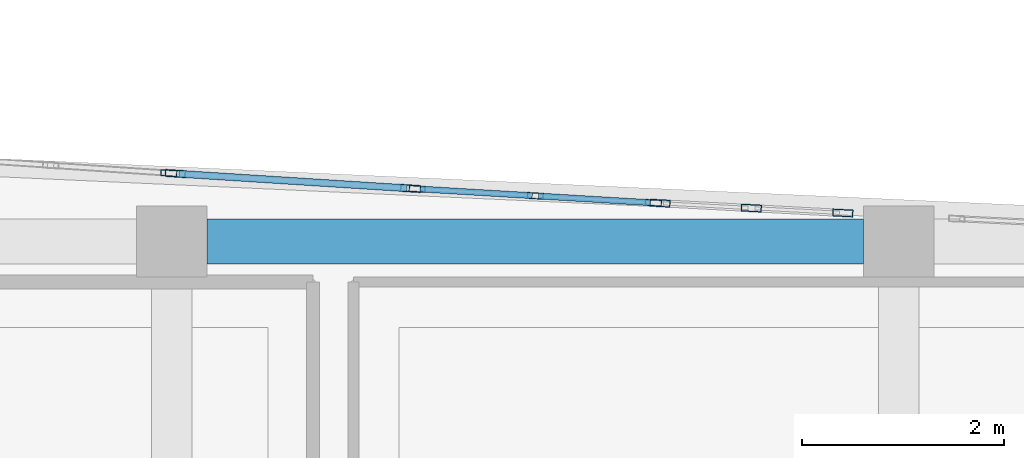
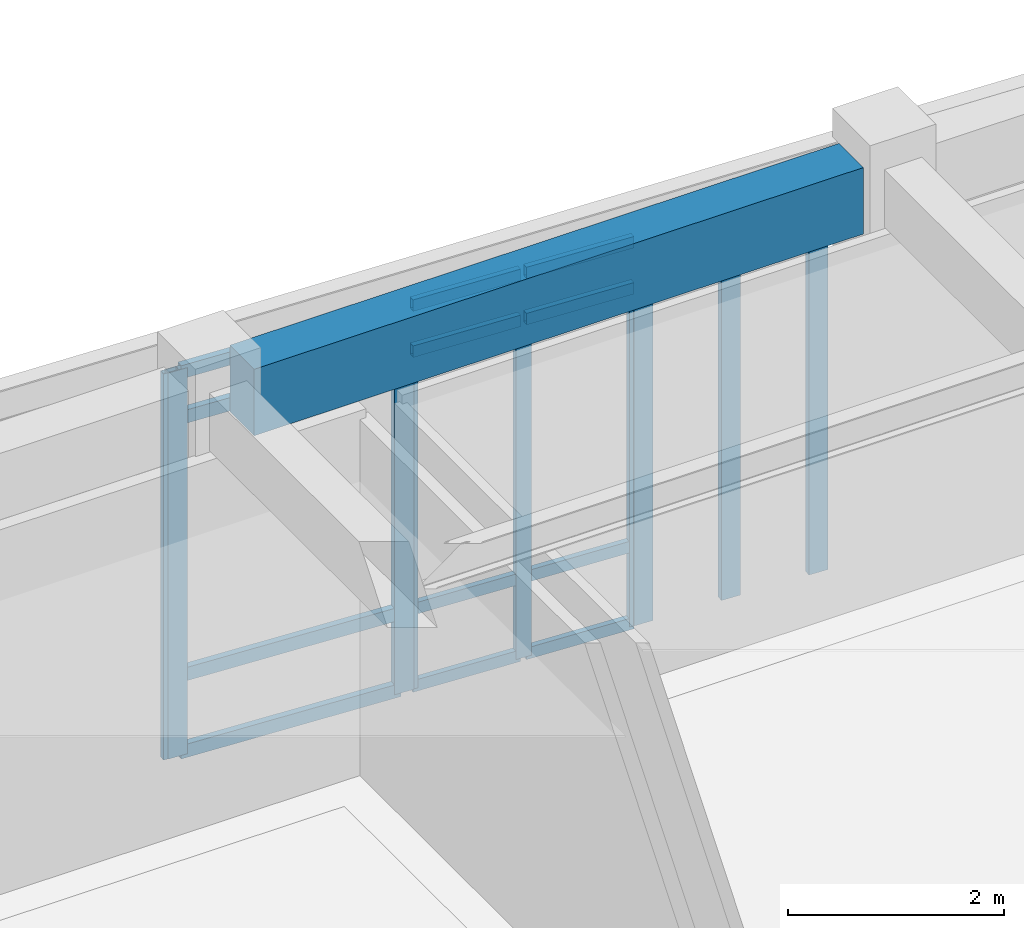
# One storey, part 63 of 117: 21 members, 1 beam, 4 elements without a shape of their own.
"""IFC4 building model written with IfcOpenShell, lengths in metres."""

from ifc_helpers import new_model, si_unit, direction, frame, origin, origin_2d, place, context, subcontext, project, spatial, rectangle, hollow_rectangle, extrude, material, layer, layer_set, material_profile, profile_set, type_object, element, aggregate, save


model = new_model("IFC4")

# Units and contexts
model_context = context("Model", 3, precision=1e-05, world=origin(), true_north=direction((0.0, 1.0)))
body_context = subcontext(model_context, "Body", "Model", "MODEL_VIEW")
ifc_project = project(units=[si_unit("LENGTHUNIT", "METRE"), si_unit("AREAUNIT", "SQUARE_METRE"), si_unit("VOLUMEUNIT", "CUBIC_METRE"), si_unit("PLANEANGLEUNIT", "RADIAN"), si_unit("MASSUNIT", "GRAM", prefix="KILO")], contexts=[model_context])

# Site, building, storey
site_placement = place(None, origin())
site = spatial("IfcSite", under=ifc_project, at=site_placement, CompositionType="ELEMENT")
building_placement = place(site_placement, origin())
building = spatial("IfcBuilding", under=site, at=building_placement, Name="Carrowvane Square Congress Hotel", CompositionType="ELEMENT")
storey_placement = place(building_placement, frame((0.0, 0.0, 5.39990234375)))
storey = spatial("IfcBuildingStorey", under=building, at=storey_placement, Name="L01", CompositionType="ELEMENT", Elevation=5.39990234375)

# Beam
ifc_material_1 = material(Name="Concrete C35/45", Category="concrete")
ifc_material_profile_1 = material_profile(ifc_material_1, rectangle(XDim=0.449951171875, YDim=0.75, at=origin_2d()), Name="RC 450x750")
ifc_profile_set_1 = profile_set([ifc_material_profile_1], Name="Concrete C35/45")
beam_type = type_object("IfcBeamType", Name="BM-RC-450x750", PredefinedType="USERDEFINED", material=ifc_profile_set_1)
beam_placement = place(storey_placement, frame((148.75, 113.39990234375, 4.405029296875), z_axis=(1.0, 0.0, 0.0), x_axis=(0.0, 1.0, 0.0)))
element("IfcBeam", 1, at=beam_placement, inside=storey, type_object=beam_type, Name="L02 girder R/20-21", ObjectType="GIRDER", PredefinedType="USERDEFINED", context=body_context, shape_type="SweptSolid", body=[
    extrude(rectangle(XDim=0.449951171875, YDim=0.75, at=origin_2d()), origin(), (0.0, 0.0, 1.0), 6.5),
])

# Curtain wall, member
ifc_material_2 = material(Name="Anodised aluminium", Category="aluminium")
ifc_layer_1 = layer(ifc_material_2, 0.2099609375)
ifc_layer_set_1 = layer_set([ifc_layer_1], Name="Anodised aluminium")
curtain_wall_type_1 = type_object("IfcCurtainWallType", Name="CW-SYS-5", PredefinedType="NOTDEFINED", material=ifc_layer_set_1)
curtain_wall_1_placement = place(storey_placement, origin())
curtain_wall_1 = element("IfcCurtainWall", 2, at=curtain_wall_1_placement, inside=storey, type_object=curtain_wall_type_1, Name="L01 unitised curtain wall 108", PredefinedType="NOTDEFINED")
ifc_material_3 = material(Name="Anodised aluminium", Category="aluminium")
ifc_material_profile_2 = material_profile(ifc_material_3, hollow_rectangle(XDim=0.06005859375, YDim=0.159912109375, WallThickness=0.00390625, at=origin_2d()), Name="CW-ML 60x160x4")
ifc_profile_set_2 = profile_set([ifc_material_profile_2], Name="Anodised aluminium")
member_type_1 = type_object("IfcMemberType", Name="CW-MUL-1", PredefinedType="MULLION", material=ifc_profile_set_2)
member_1_placement = place(storey_placement, frame((148.3701171875, 114.077392578125, 0.0), z_axis=(0.0, 0.0, 1.0), x_axis=(0.06657392244, 0.997781495544, 0.0)))
member_1 = element("IfcMember", 3, at=member_1_placement, type_object=member_type_1, Name="CW-5 mullion 3", PredefinedType="MULLION", context=body_context, shape_type="SweptSolid", body=[
    extrude(hollow_rectangle(XDim=0.06005859375, YDim=0.159912109375, WallThickness=0.00390625, at=origin_2d()), origin(), (0.0, 0.0, 1.0), 4.355712890625),
])
aggregate(curtain_wall_1, [member_1])

# Curtain wall, members
ifc_material_4 = material(Name="Anodised aluminium", Category="aluminium")
ifc_layer_2 = layer(ifc_material_4, 0.23388671875)
ifc_layer_set_2 = layer_set([ifc_layer_2], Name="Anodised aluminium")
curtain_wall_type_2 = type_object("IfcCurtainWallType", Name="CW-SYS-7", PredefinedType="NOTDEFINED", material=ifc_layer_set_2)
curtain_wall_2_placement = place(storey_placement, origin())
curtain_wall_2 = element("IfcCurtainWall", 4, at=curtain_wall_2_placement, inside=storey, type_object=curtain_wall_type_2, Name="L01 unitised curtain wall 110", PredefinedType="NOTDEFINED")
member_2_placement = place(storey_placement, frame((150.829833984375, 113.92138671875, 0.0), z_axis=(0.0, 0.0, 1.0), x_axis=(0.058988522254, 0.99825866099, 0.0)))
member_2 = element("IfcMember", 5, at=member_2_placement, type_object=member_type_1, Name="CW-7 mullion 1", PredefinedType="MULLION", context=body_context, shape_type="SweptSolid", body=[
    extrude(hollow_rectangle(XDim=0.06005859375, YDim=0.159912109375, WallThickness=0.00390625, at=origin_2d()), origin(), (0.0, 0.0, 1.0), 4.355712890625),
])
member_3_placement = place(storey_placement, frame((152.0, 113.852294921875, 0.0), z_axis=(0.0, 0.0, 1.0), x_axis=(0.058988522254, 0.99825866099, 0.0)))
member_3 = element("IfcMember", 6, at=member_3_placement, type_object=member_type_1, Name="CW-7 mullion 2", PredefinedType="MULLION", context=body_context, shape_type="SweptSolid", body=[
    extrude(hollow_rectangle(XDim=0.06005859375, YDim=0.159912109375, WallThickness=0.00390625, at=origin_2d()), origin(), (0.0, 0.0, 1.0), 4.355712890625),
])
member_4_placement = place(storey_placement, frame((153.170166015625, 113.783203125, 0.0), z_axis=(0.0, 0.0, 1.0), x_axis=(0.058988522254, 0.99825866099, 0.0)))
member_4 = element("IfcMember", 7, at=member_4_placement, type_object=member_type_1, Name="CW-7 mullion 3", PredefinedType="MULLION", context=body_context, shape_type="SweptSolid", body=[
    extrude(hollow_rectangle(XDim=0.06005859375, YDim=0.159912109375, WallThickness=0.00390625, at=origin_2d()), origin(), (0.0, 0.0, 1.0), 4.355712890625),
])

ifc_material_5 = material(Name="Anodised aluminium", Category="aluminium")
ifc_layer_3 = layer(ifc_material_5, 0.221923828125)
ifc_layer_set_3 = layer_set([ifc_layer_3], Name="Anodised aluminium")
curtain_wall_type_3 = type_object("IfcCurtainWallType", Name="CW-SYS-6", PredefinedType="NOTDEFINED", material=ifc_layer_set_3)
curtain_wall_3_placement = place(storey_placement, origin())
curtain_wall_3 = element("IfcCurtainWall", 8, at=curtain_wall_3_placement, inside=storey, type_object=curtain_wall_type_3, Name="L01 unitised curtain wall 109", PredefinedType="NOTDEFINED")
ifc_material_6 = material(Name="Anodised aluminium", Category="aluminium")
ifc_material_profile_3 = material_profile(ifc_material_6, hollow_rectangle(XDim=0.070068359375, YDim=0.199951171875, WallThickness=0.0048828125, at=origin_2d()), Name="CW-ML 70x200x5")
ifc_profile_set_3 = profile_set([ifc_material_profile_3], Name="Anodised aluminium")
member_type_2 = type_object("IfcMemberType", Name="CW-MUL-2", PredefinedType="MULLION", material=ifc_profile_set_3)
member_5_placement = place(storey_placement, frame((148.434814453125, 114.0732421875, 0.0), z_axis=(0.0, 0.0, 1.0), x_axis=(0.063273487972, 0.997996225303, 0.0)))
member_5 = element("IfcMember", 9, at=member_5_placement, type_object=member_type_2, Name="CW-6 mullion 1", PredefinedType="MULLION", context=body_context, shape_type="SweptSolid", body=[
    extrude(hollow_rectangle(XDim=0.070068359375, YDim=0.199951171875, WallThickness=0.0048828125, at=origin_2d()), origin(), (0.0, 0.0, 1.0), 4.355712890625),
])
member_6_placement = place(storey_placement, frame((150.76513671875, 113.92529296875, 0.0), z_axis=(0.0, 0.0, 1.0), x_axis=(0.063273487972, 0.997996225303, 0.0)))
member_6 = element("IfcMember", 10, at=member_6_placement, type_object=member_type_2, Name="CW-6 mullion 2", PredefinedType="MULLION", context=body_context, shape_type="SweptSolid", body=[
    extrude(hollow_rectangle(XDim=0.070068359375, YDim=0.199951171875, WallThickness=0.0048828125, at=origin_2d()), origin(), (0.0, 0.0, 1.0), 4.355712890625),
])

ifc_material_7 = material(Name="Anodised aluminium", Category="aluminium")
ifc_layer_4 = layer(ifc_material_7, 0.24609375)
ifc_layer_set_4 = layer_set([ifc_layer_4], Name="Anodised aluminium")
curtain_wall_type_4 = type_object("IfcCurtainWallType", Name="CW-SYS-8", PredefinedType="NOTDEFINED", material=ifc_layer_set_4)
curtain_wall_4_placement = place(storey_placement, origin())
curtain_wall_4 = element("IfcCurtainWall", 11, at=curtain_wall_4_placement, inside=storey, type_object=curtain_wall_type_4, Name="L01 unitised curtain wall 111", PredefinedType="NOTDEFINED")
member_7_placement = place(storey_placement, frame((153.23486328125, 113.779541015625, 0.0), z_axis=(0.0, 0.0, 1.0), x_axis=(0.053517029722, 0.99856693693, 0.0)))
member_7 = element("IfcMember", 12, at=member_7_placement, type_object=member_type_2, Name="CW-8 mullion 1", PredefinedType="MULLION", context=body_context, shape_type="SweptSolid", body=[
    extrude(hollow_rectangle(XDim=0.070068359375, YDim=0.199951171875, WallThickness=0.0048828125, at=origin_2d()), origin(), (0.0, 0.0, 1.0), 4.01513671875),
])
member_8_placement = place(storey_placement, frame((154.140380859375, 113.73095703125, 0.0), z_axis=(0.0, 0.0, 1.0), x_axis=(0.053517029722, 0.99856693693, 0.0)))
member_8 = element("IfcMember", 13, at=member_8_placement, type_object=member_type_2, Name="CW-8 mullion 2", PredefinedType="MULLION", context=body_context, shape_type="SweptSolid", body=[
    extrude(hollow_rectangle(XDim=0.070068359375, YDim=0.199951171875, WallThickness=0.0048828125, at=origin_2d()), origin(), (0.0, 0.0, 1.0), 4.01513671875),
])
member_9_placement = place(storey_placement, frame((155.046142578125, 113.682373046875, 0.0), z_axis=(0.0, 0.0, 1.0), x_axis=(0.053517029722, 0.99856693693, 0.0)))
member_9 = element("IfcMember", 14, at=member_9_placement, type_object=member_type_2, Name="CW-8 mullion 3", PredefinedType="MULLION", context=body_context, shape_type="SweptSolid", body=[
    extrude(hollow_rectangle(XDim=0.070068359375, YDim=0.199951171875, WallThickness=0.0048828125, at=origin_2d()), origin(), (0.0, 0.0, 1.0), 4.01513671875),
])
aggregate(curtain_wall_4, [member_7, member_8, member_9])

# Member
ifc_material_8 = material(Name="Anodised aluminium", Category="aluminium")
ifc_material_profile_4 = material_profile(ifc_material_8, hollow_rectangle(XDim=0.06005859375, YDim=0.1298828125, WallThickness=0.00390625, at=origin_2d()), Name="CW-TR 60x130x4")
ifc_profile_set_4 = profile_set([ifc_material_profile_4], Name="Anodised aluminium")
member_type_3 = type_object("IfcMemberType", Name="CW-TRN-1", PredefinedType="USERDEFINED", material=ifc_profile_set_4)
member_10_placement = place(storey_placement, frame((150.85986328125, 113.919677734375, 0.030029296875), z_axis=(0.998254634076, -0.05905662999, 0.0), x_axis=(0.05905662999, 0.998254634076, 0.0)))
member_10 = element("IfcMember", 15, at=member_10_placement, type_object=member_type_3, Name="CW-7 transom 1.1", ObjectType="TRANSOM", PredefinedType="USERDEFINED", context=body_context, shape_type="SweptSolid", body=[
    extrude(hollow_rectangle(XDim=0.06005859375, YDim=0.1298828125, WallThickness=0.00390625, at=origin_2d()), origin(), (0.0, 0.0, 1.0), 1.112060546875),
])

member_11_placement = place(storey_placement, frame((150.85986328125, 113.919677734375, 0.900146484375), z_axis=(0.998254634076, -0.05905662999, 0.0), x_axis=(0.05905662999, 0.998254634076, 0.0)))
member_11 = element("IfcMember", 16, at=member_11_placement, type_object=member_type_3, Name="CW-7 transom 1.2", ObjectType="TRANSOM", PredefinedType="USERDEFINED", context=body_context, shape_type="SweptSolid", body=[
    extrude(hollow_rectangle(XDim=0.06005859375, YDim=0.1298828125, WallThickness=0.00390625, at=origin_2d()), origin(), (0.0, 0.0, 1.0), 1.112060546875),
])

member_12_placement = place(storey_placement, frame((150.85986328125, 113.919677734375, 3.8056640625), z_axis=(0.998254634076, -0.05905662999, 0.0), x_axis=(0.05905662999, 0.998254634076, 0.0)))
member_12 = element("IfcMember", 17, at=member_12_placement, type_object=member_type_3, Name="CW-7 transom 1.3", ObjectType="TRANSOM", PredefinedType="USERDEFINED", context=body_context, shape_type="SweptSolid", body=[
    extrude(hollow_rectangle(XDim=0.06005859375, YDim=0.1298828125, WallThickness=0.00390625, at=origin_2d()), origin(), (0.0, 0.0, 1.0), 1.112060546875),
])

member_13_placement = place(storey_placement, frame((150.85986328125, 113.919677734375, 4.32568359375), z_axis=(0.998254634076, -0.05905662999, 0.0), x_axis=(0.05905662999, 0.998254634076, 0.0)))
member_13 = element("IfcMember", 18, at=member_13_placement, type_object=member_type_3, Name="CW-7 transom 1.4", ObjectType="TRANSOM", PredefinedType="USERDEFINED", context=body_context, shape_type="SweptSolid", body=[
    extrude(hollow_rectangle(XDim=0.06005859375, YDim=0.1298828125, WallThickness=0.00390625, at=origin_2d()), origin(), (0.0, 0.0, 1.0), 1.112060546875),
])

member_14_placement = place(storey_placement, frame((152.030029296875, 113.8505859375, 0.030029296875), z_axis=(0.998254634076, -0.05905662999, 0.0), x_axis=(0.05905662999, 0.998254634076, 0.0)))
member_14 = element("IfcMember", 19, at=member_14_placement, type_object=member_type_3, Name="CW-7 transom 2.1", ObjectType="TRANSOM", PredefinedType="USERDEFINED", context=body_context, shape_type="SweptSolid", body=[
    extrude(hollow_rectangle(XDim=0.06005859375, YDim=0.1298828125, WallThickness=0.00390625, at=origin_2d()), origin(), (0.0, 0.0, 1.0), 1.112060546875),
])

member_15_placement = place(storey_placement, frame((152.030029296875, 113.8505859375, 0.900146484375), z_axis=(0.998254634076, -0.05905662999, 0.0), x_axis=(0.05905662999, 0.998254634076, 0.0)))
member_15 = element("IfcMember", 20, at=member_15_placement, type_object=member_type_3, Name="CW-7 transom 2.2", ObjectType="TRANSOM", PredefinedType="USERDEFINED", context=body_context, shape_type="SweptSolid", body=[
    extrude(hollow_rectangle(XDim=0.06005859375, YDim=0.1298828125, WallThickness=0.00390625, at=origin_2d()), origin(), (0.0, 0.0, 1.0), 1.112060546875),
])

member_16_placement = place(storey_placement, frame((152.030029296875, 113.8505859375, 3.8056640625), z_axis=(0.998254634076, -0.05905662999, 0.0), x_axis=(0.05905662999, 0.998254634076, 0.0)))
member_16 = element("IfcMember", 21, at=member_16_placement, type_object=member_type_3, Name="CW-7 transom 2.3", ObjectType="TRANSOM", PredefinedType="USERDEFINED", context=body_context, shape_type="SweptSolid", body=[
    extrude(hollow_rectangle(XDim=0.06005859375, YDim=0.1298828125, WallThickness=0.00390625, at=origin_2d()), origin(), (0.0, 0.0, 1.0), 1.112060546875),
])

member_17_placement = place(storey_placement, frame((152.030029296875, 113.8505859375, 4.32568359375), z_axis=(0.998254634076, -0.05905662999, 0.0), x_axis=(0.05905662999, 0.998254634076, 0.0)))
member_17 = element("IfcMember", 22, at=member_17_placement, type_object=member_type_3, Name="CW-7 transom 2.4", ObjectType="TRANSOM", PredefinedType="USERDEFINED", context=body_context, shape_type="SweptSolid", body=[
    extrude(hollow_rectangle(XDim=0.06005859375, YDim=0.1298828125, WallThickness=0.00390625, at=origin_2d()), origin(), (0.0, 0.0, 1.0), 1.112060546875),
])

aggregate(curtain_wall_2, [member_2, member_3, member_4, member_10, member_11, member_12, member_13, member_14, member_15, member_16, member_17])

ifc_material_9 = material(Name="Anodised aluminium", Category="aluminium")
ifc_material_profile_5 = material_profile(ifc_material_9, hollow_rectangle(XDim=0.070068359375, YDim=0.14990234375, WallThickness=0.0048828125, at=origin_2d()), Name="CW-TR 70x150x5")
ifc_profile_set_5 = profile_set([ifc_material_profile_5], Name="Anodised aluminium")
member_type_4 = type_object("IfcMemberType", Name="CW-TRN-2", PredefinedType="USERDEFINED", material=ifc_profile_set_5)
member_18_placement = place(storey_placement, frame((148.469970703125, 114.07080078125, 0.03515625), z_axis=(0.997995967248, -0.063277558088, 0.0), x_axis=(0.063277558088, 0.997995967248, 0.0)))
member_18 = element("IfcMember", 23, at=member_18_placement, type_object=member_type_4, Name="CW-6 transom 1.1", ObjectType="TRANSOM", PredefinedType="USERDEFINED", context=body_context, shape_type="SweptSolid", body=[
    extrude(hollow_rectangle(XDim=0.070068359375, YDim=0.14990234375, WallThickness=0.0048828125, at=origin_2d()), origin(), (0.0, 0.0, 1.0), 2.264892578125),
])

member_19_placement = place(storey_placement, frame((148.469970703125, 114.07080078125, 0.900146484375), z_axis=(0.997995967248, -0.063277558088, 0.0), x_axis=(0.063277558088, 0.997995967248, 0.0)))
member_19 = element("IfcMember", 24, at=member_19_placement, type_object=member_type_4, Name="CW-6 transom 1.2", ObjectType="TRANSOM", PredefinedType="USERDEFINED", context=body_context, shape_type="SweptSolid", body=[
    extrude(hollow_rectangle(XDim=0.070068359375, YDim=0.14990234375, WallThickness=0.0048828125, at=origin_2d()), origin(), (0.0, 0.0, 1.0), 2.264892578125),
])

member_20_placement = place(storey_placement, frame((148.469970703125, 114.07080078125, 3.8056640625), z_axis=(0.997995967248, -0.063277558088, 0.0), x_axis=(0.063277558088, 0.997995967248, 0.0)))
member_20 = element("IfcMember", 25, at=member_20_placement, type_object=member_type_4, Name="CW-6 transom 1.3", ObjectType="TRANSOM", PredefinedType="USERDEFINED", context=body_context, shape_type="SweptSolid", body=[
    extrude(hollow_rectangle(XDim=0.070068359375, YDim=0.14990234375, WallThickness=0.0048828125, at=origin_2d()), origin(), (0.0, 0.0, 1.0), 2.264892578125),
])

member_21_placement = place(storey_placement, frame((148.469970703125, 114.07080078125, 4.32080078125), z_axis=(0.997995967248, -0.063277558088, 0.0), x_axis=(0.063277558088, 0.997995967248, 0.0)))
member_21 = element("IfcMember", 26, at=member_21_placement, type_object=member_type_4, Name="CW-6 transom 1.4", ObjectType="TRANSOM", PredefinedType="USERDEFINED", context=body_context, shape_type="SweptSolid", body=[
    extrude(hollow_rectangle(XDim=0.070068359375, YDim=0.14990234375, WallThickness=0.0048828125, at=origin_2d()), origin(), (0.0, 0.0, 1.0), 2.264892578125),
])

aggregate(curtain_wall_3, [member_5, member_6, member_18, member_19, member_20, member_21])

save(model, "model.ifc")
